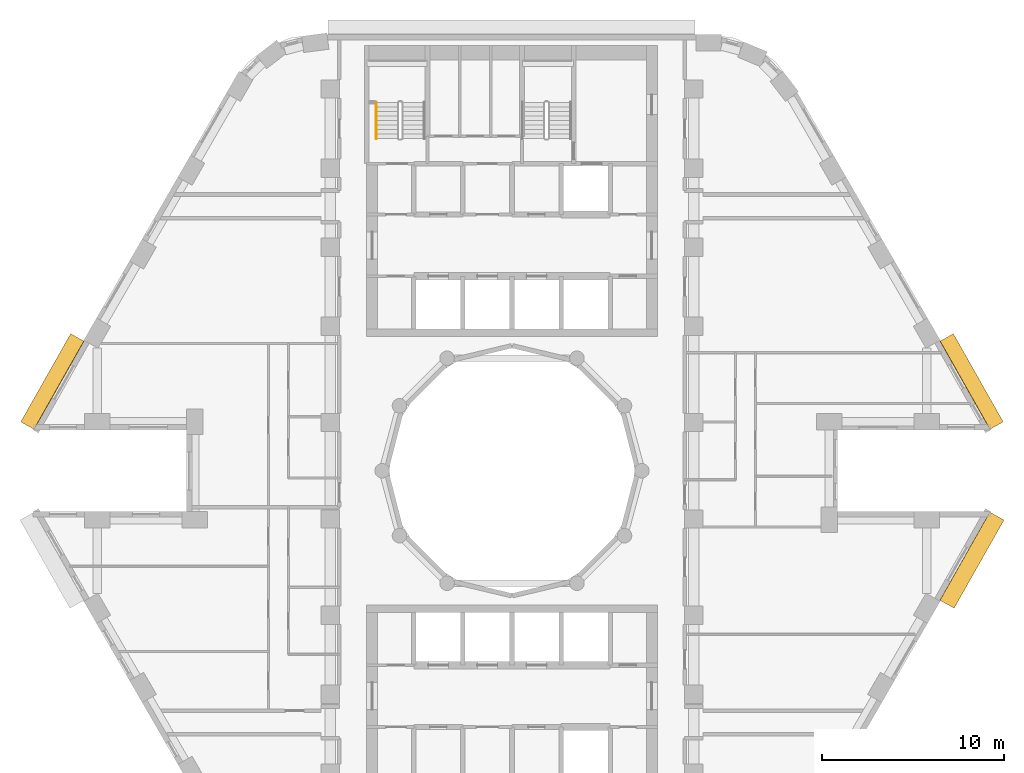
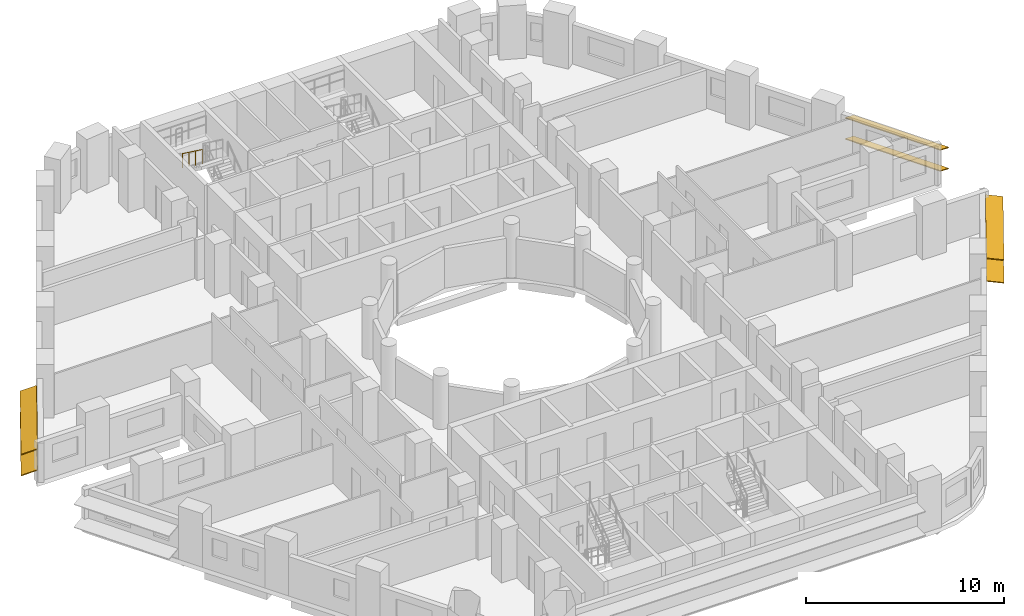
# One storey, part 11 of 12: 6 shading devices, 1 railing.
"""IFC4 building model written with IfcOpenShell, lengths in metres."""

from ifc_helpers import new_model, si_unit, direction, frame, origin, origin_2d, place, context, subcontext, project, spatial, rectangle, circle, extrude, material, material_profile, profile_set, type_object, element, save


model = new_model("IFC4")

# Units and contexts
model_context = context("Model", 3, precision=1e-05, world=origin(), true_north=direction((0.0, 1.0)))
body_context = subcontext(model_context, "Body", "Model", "MODEL_VIEW")
ifc_project = project(units=[si_unit("LENGTHUNIT", "METRE"), si_unit("AREAUNIT", "SQUARE_METRE"), si_unit("VOLUMEUNIT", "CUBIC_METRE"), si_unit("PLANEANGLEUNIT", "RADIAN"), si_unit("MASSUNIT", "GRAM", prefix="KILO")], contexts=[model_context])

# Site, building, storey
site_placement = place(None, origin())
site = spatial("IfcSite", under=ifc_project, at=site_placement, CompositionType="ELEMENT")
building_placement = place(site_placement, origin())
building = spatial("IfcBuilding", under=site, at=building_placement, Name="Nakaniwa Court", CompositionType="ELEMENT")
storey_placement = place(building_placement, frame((0.0, 0.0, 100.800048828125)))
storey = spatial("IfcBuildingStorey", under=building, at=storey_placement, Name="L26", CompositionType="ELEMENT", Elevation=100.800048828125)

# Shading devices
ifc_material_1 = material(Name="Perforated charcoal ceramic louvre blade")
ifc_material_profile = material_profile(ifc_material_1, rectangle(XDim=0.89990234375, YDim=0.050048828125, at=origin_2d()), Name="Perforated ceramic louvre blade")
ifc_profile_set = profile_set([ifc_material_profile], Name="Perforated charcoal ceramic louvre blade")
shading_device_type = type_object("IfcShadingDeviceType", Name="Perforated ceramic louvre blade", PredefinedType="JALOUSIE", material=ifc_profile_set)
for number, where, z_axis, x_axis, name in (
    (1, (106.662353515625, 82.480224609375, 0.550048828125), (-0.492438058427, 0.870347493024, 0.0), (-0.804676322539, -0.455281653718, 0.38107037635), "L26 perforated ceramic louvre blade w02 1"),
    (2, (106.662353515625, 82.480224609375, 1.845458984375), (-0.492438058427, 0.870347493024, 0.0), (-0.804676322539, -0.455281653718, 0.38107037635), "L26 perforated ceramic louvre blade w02 2"),
    (3, (56.083740234375, 87.333740234375, 0.550048828125), (-0.492438058427, -0.870347493024, 0.0), (0.804676322539, -0.455281653718, 0.38107037635), "L26 perforated ceramic louvre blade w14 1"),
    (4, (56.083740234375, 87.333740234375, 1.845458984375), (-0.492438058427, -0.870347493024, 0.0), (0.804676322539, -0.455281653718, 0.38107037635), "L26 perforated ceramic louvre blade w14 2"),
    (5, (103.93701171875, 72.654541015625, 0.550048828125), (0.492438058427, 0.870347493024, 0.0), (-0.862701960504, 0.488112256124, 0.132256390257), "L26 perforated ceramic louvre blade w32 1"),
    (6, (103.93701171875, 72.654541015625, 1.95556640625), (0.492438058427, 0.870347493024, 0.0), (-0.862701960504, 0.488112256124, 0.132256390257), "L26 perforated ceramic louvre blade w32 2"),
):
    element("IfcShadingDevice", number, at=place(storey_placement, frame(where, z_axis=z_axis, x_axis=x_axis)), inside=storey, type_object=shading_device_type, Name=name, PredefinedType="JALOUSIE", context=body_context, shape_type="SweptSolid", body=[
        extrude(rectangle(XDim=0.89990234375, YDim=0.050048828125, at=origin_2d()), origin(), (0.0, 0.0, 1.0), 5.576416015625),
    ])

# Railing
ifc_material_2 = material(Name="Black powder coated steel handrail", Category="steel")
railing_type = type_object("IfcRailingType", Name="Stair handrail 900", PredefinedType="HANDRAIL", material=ifc_material_2)
railing_placement = place(storey_placement, frame((72.52490234375, 100.27490234375, 1.833251953125)))
element("IfcRailing", 7, at=railing_placement, inside=storey, type_object=railing_type, Name="L26 ST1 stair handrail 2", PredefinedType="HANDRAIL", context=body_context, shape_type="SweptSolid", body=[
    extrude(circle(Radius=0.02392578125, at=origin_2d()), frame((0.0, 0.0, 0.8759765625), z_axis=(0.0, -0.806379959628, 0.591397802423), x_axis=(1.0, 0.0, 0.0)), (0.0, 0.0, 1.0), 2.480224609375),
    extrude(circle(Radius=0.02099609375, at=origin_2d()), origin(), (0.0, 0.0, 1.0), 0.851806640625),
    extrude(circle(Radius=0.02099609375, at=origin_2d()), frame((0.0, -0.666748046875, 0.489013671875)), (0.0, 0.0, 1.0), 0.851806640625),
    extrude(circle(Radius=0.02099609375, at=origin_2d()), frame((0.0, -1.333251953125, 0.977783203125)), (0.0, 0.0, 1.0), 0.851806640625),
    extrude(circle(Radius=0.02099609375, at=origin_2d()), frame((0.0, -2.0, 1.466796875)), (0.0, 0.0, 1.0), 0.851806640625),
])

save(model, "model.ifc")
